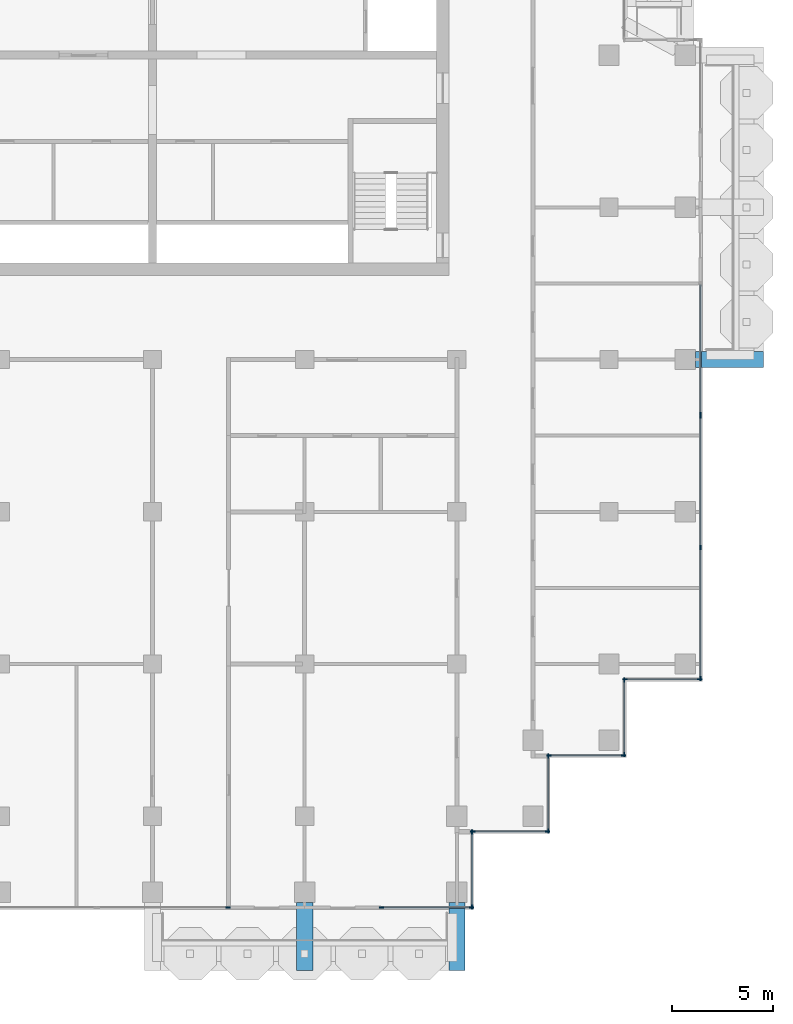
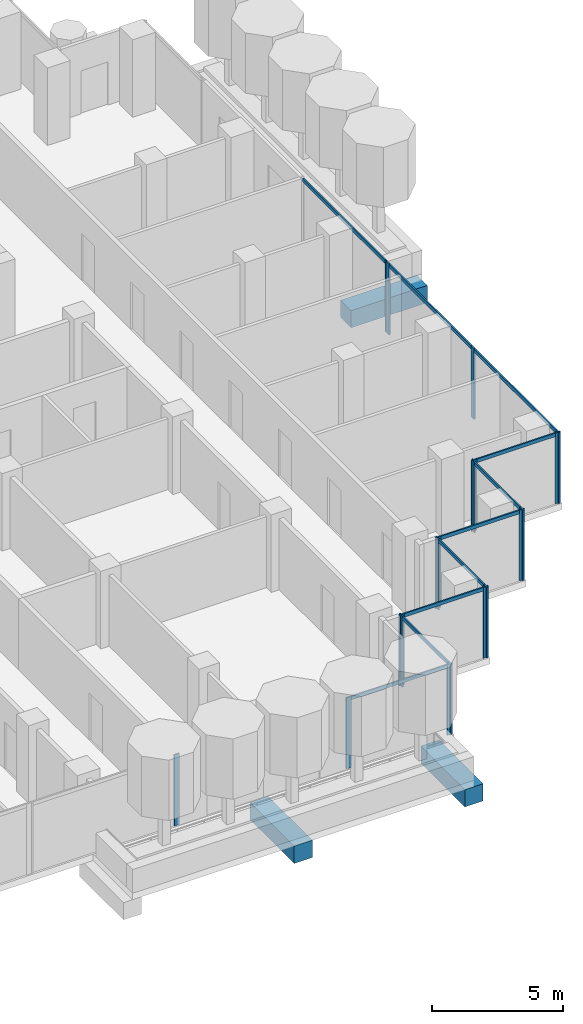
# One storey, part 4 of 19: 29 members, 3 beams, 10 elements without a shape of their own.
"""IFC4 building model written with IfcOpenShell, lengths in metres."""

from ifc_helpers import new_model, si_unit, direction, frame, origin, origin_2d, place, context, subcontext, project, spatial, rectangle, extrude, material, material_profile, profile_set, type_object, element, aggregate, save


model = new_model("IFC4")

# Units and contexts
model_context = context("Model", 3, precision=1e-05, world=origin(), true_north=direction((0.0, 1.0)))
body_context = subcontext(model_context, "Body", "Model", "MODEL_VIEW")
ifc_project = project(units=[si_unit("LENGTHUNIT", "METRE"), si_unit("AREAUNIT", "SQUARE_METRE"), si_unit("VOLUMEUNIT", "CUBIC_METRE"), si_unit("PLANEANGLEUNIT", "RADIAN"), si_unit("MASSUNIT", "GRAM", prefix="KILO")], contexts=[model_context])

# Site, building, storey
site_placement = place(None, origin())
site = spatial("IfcSite", under=ifc_project, at=site_placement, CompositionType="ELEMENT")
building_placement = place(site_placement, origin())
building = spatial("IfcBuilding", under=site, at=building_placement, Name="Pilkhan Gate Tower", CompositionType="ELEMENT")
storey_placement = place(building_placement, frame((0.0, 0.0, 217.5)))
storey = spatial("IfcBuildingStorey", under=building, at=storey_placement, Name="L56", CompositionType="ELEMENT", Elevation=217.5)

# Beams
ifc_material_1 = material(Name="Concrete C50/60", Category="concrete")
ifc_material_profile_1 = material_profile(ifc_material_1, rectangle(XDim=0.800048828125, YDim=0.800048828125, at=origin_2d()), Name="RC 800x800")
ifc_profile_set_1 = profile_set([ifc_material_profile_1], Name="Concrete C50/60")
beam_type = type_object("IfcBeamType", Name="Cantilever beam CB2 RC 800x800 C50/60", PredefinedType="BEAM", material=ifc_profile_set_1)
for number, where, z_axis, x_axis, name in (
    (1, (82.5, 40.75, -0.699951171875), (0.0, -1.0, 0.0), (1.0, 0.0, 0.0), "Balcony beam S.2 L56"),
    (2, (90.0, 40.75, -0.699951171875), (0.0, -1.0, 0.0), (1.0, 0.0, 0.0), "Balcony beam S.3 L56"),
    (3, (101.75, 67.5, -0.699951171875), (1.0, 0.0, 0.0), (0.0, 1.0, 0.0), "Balcony beam E.1 L56"),
):
    element("IfcBeam", number, at=place(storey_placement, frame(where, z_axis=z_axis, x_axis=x_axis)), inside=storey, type_object=beam_type, Name=name, PredefinedType="BEAM", context=body_context, shape_type="SweptSolid", body=[
        extrude(rectangle(XDim=0.800048828125, YDim=0.800048828125, at=origin_2d()), origin(), (0.0, 0.0, 1.0), 3.35009765625),
    ])

# Curtain wall, members
ifc_material_2 = material(Name="Pale anodised aluminium, clear low-iron double glazing", Category="aluminium")
curtain_wall_type = type_object("IfcCurtainWallType", Name="Office unitised curtain wall CW-O2", PredefinedType="USERDEFINED", material=ifc_material_2)
curtain_wall_1_placement = place(storey_placement, origin())
curtain_wall_1 = element("IfcCurtainWall", 4, at=curtain_wall_1_placement, inside=storey, type_object=curtain_wall_type, Name="Office unitised curtain wall CW-O2 L56 E", ObjectType="UNITISED CURTAIN WALL", PredefinedType="USERDEFINED")
ifc_material_3 = material(Name="Pale anodised aluminium", Category="aluminium")
ifc_material_profile_2 = material_profile(ifc_material_3, rectangle(XDim=0.06494140625, YDim=0.22509765625, at=origin_2d()), Name="Mullion 225x65")
ifc_profile_set_2 = profile_set([ifc_material_profile_2], Name="Pale anodised aluminium")
member_type_1 = type_object("IfcMemberType", Name="Mullion CW-O2 225x65", PredefinedType="MULLION", material=ifc_profile_set_2)
member_1_placement = place(storey_placement, frame((102.0, 51.782470703125, 0.0), z_axis=(0.0, 0.0, 1.0), x_axis=(-1.0, 0.0, 0.0)))
member_1 = element("IfcMember", 5, at=member_1_placement, type_object=member_type_1, Name="CW-O2 mullion 1", PredefinedType="MULLION", context=body_context, shape_type="SweptSolid", body=[
    extrude(rectangle(XDim=0.06494140625, YDim=0.22509765625, at=origin_2d()), origin(), (0.0, 0.0, 1.0), 3.300048828125),
])
member_2_placement = place(storey_placement, frame((102.0, 58.25, 0.0), z_axis=(0.0, 0.0, 1.0), x_axis=(-1.0, 0.0, 0.0)))
member_2 = element("IfcMember", 6, at=member_2_placement, type_object=member_type_1, Name="CW-O2 mullion 2", PredefinedType="MULLION", context=body_context, shape_type="SweptSolid", body=[
    extrude(rectangle(XDim=0.06494140625, YDim=0.22509765625, at=origin_2d()), origin(), (0.0, 0.0, 1.0), 3.300048828125),
])
member_3_placement = place(storey_placement, frame((102.0, 64.717529296875, 0.0), z_axis=(0.0, 0.0, 1.0), x_axis=(-1.0, 0.0, 0.0)))
member_3 = element("IfcMember", 7, at=member_3_placement, type_object=member_type_1, Name="CW-O2 mullion 3", PredefinedType="MULLION", context=body_context, shape_type="SweptSolid", body=[
    extrude(rectangle(XDim=0.06494140625, YDim=0.22509765625, at=origin_2d()), origin(), (0.0, 0.0, 1.0), 3.300048828125),
])

# Curtain wall, member
curtain_wall_2_placement = place(storey_placement, origin())
curtain_wall_2 = element("IfcCurtainWall", 8, at=curtain_wall_2_placement, inside=storey, type_object=curtain_wall_type, Name="Office unitised curtain wall CW-O2 L56 E", ObjectType="UNITISED CURTAIN WALL", PredefinedType="USERDEFINED")
member_4_placement = place(storey_placement, frame((102.0, 64.782470703125, 0.0), z_axis=(0.0, 0.0, 1.0), x_axis=(-1.0, 0.0, 0.0)))
member_4 = element("IfcMember", 9, at=member_4_placement, type_object=member_type_1, Name="CW-O2 mullion 1", PredefinedType="MULLION", context=body_context, shape_type="SweptSolid", body=[
    extrude(rectangle(XDim=0.06494140625, YDim=0.22509765625, at=origin_2d()), origin(), (0.0, 0.0, 1.0), 3.300048828125),
])

curtain_wall_3_placement = place(storey_placement, origin())
curtain_wall_3 = element("IfcCurtainWall", 10, at=curtain_wall_3_placement, inside=storey, type_object=curtain_wall_type, Name="Office unitised curtain wall CW-O2 L56 S", ObjectType="UNITISED CURTAIN WALL", PredefinedType="USERDEFINED")
member_5_placement = place(storey_placement, frame((78.717529296875, 40.5, 0.0), z_axis=(0.0, 0.0, 1.0), x_axis=(0.0, 1.0, 0.0)))
member_5 = element("IfcMember", 11, at=member_5_placement, type_object=member_type_1, Name="CW-O2 mullion 2", PredefinedType="MULLION", context=body_context, shape_type="SweptSolid", body=[
    extrude(rectangle(XDim=0.06494140625, YDim=0.22509765625, at=origin_2d()), origin(), (0.0, 0.0, 1.0), 3.300048828125),
])
aggregate(curtain_wall_3, [member_5])

# Curtain wall, members
curtain_wall_4_placement = place(storey_placement, origin())
curtain_wall_4 = element("IfcCurtainWall", 12, at=curtain_wall_4_placement, inside=storey, type_object=curtain_wall_type, Name="Office unitised curtain wall CW-O2 L56 S", ObjectType="UNITISED CURTAIN WALL", PredefinedType="USERDEFINED")
member_6_placement = place(storey_placement, frame((86.282470703125, 40.5, 0.0), z_axis=(0.0, 0.0, 1.0), x_axis=(0.0, 1.0, 0.0)))
member_6 = element("IfcMember", 13, at=member_6_placement, type_object=member_type_1, Name="CW-O2 mullion 1", PredefinedType="MULLION", context=body_context, shape_type="SweptSolid", body=[
    extrude(rectangle(XDim=0.06494140625, YDim=0.22509765625, at=origin_2d()), origin(), (0.0, 0.0, 1.0), 3.300048828125),
])
member_7_placement = place(storey_placement, frame((90.717529296875, 40.5, 0.0), z_axis=(0.0, 0.0, 1.0), x_axis=(0.0, 1.0, 0.0)))
member_7 = element("IfcMember", 14, at=member_7_placement, type_object=member_type_1, Name="CW-O2 mullion 2", PredefinedType="MULLION", context=body_context, shape_type="SweptSolid", body=[
    extrude(rectangle(XDim=0.06494140625, YDim=0.22509765625, at=origin_2d()), origin(), (0.0, 0.0, 1.0), 3.300048828125),
])

curtain_wall_5_placement = place(storey_placement, origin())
curtain_wall_5 = element("IfcCurtainWall", 15, at=curtain_wall_5_placement, inside=storey, type_object=curtain_wall_type, Name="Office unitised curtain wall CW-O2 L56 E", ObjectType="UNITISED CURTAIN WALL", PredefinedType="USERDEFINED")
member_8_placement = place(storey_placement, frame((90.75, 40.532470703125, 0.0), z_axis=(0.0, 0.0, 1.0), x_axis=(-1.0, 0.0, 0.0)))
member_8 = element("IfcMember", 16, at=member_8_placement, type_object=member_type_1, Name="CW-O2 mullion 1", PredefinedType="MULLION", context=body_context, shape_type="SweptSolid", body=[
    extrude(rectangle(XDim=0.06494140625, YDim=0.22509765625, at=origin_2d()), origin(), (0.0, 0.0, 1.0), 3.300048828125),
])
member_9_placement = place(storey_placement, frame((90.75, 44.217529296875, 0.0), z_axis=(0.0, 0.0, 1.0), x_axis=(-1.0, 0.0, 0.0)))
member_9 = element("IfcMember", 17, at=member_9_placement, type_object=member_type_1, Name="CW-O2 mullion 2", PredefinedType="MULLION", context=body_context, shape_type="SweptSolid", body=[
    extrude(rectangle(XDim=0.06494140625, YDim=0.22509765625, at=origin_2d()), origin(), (0.0, 0.0, 1.0), 3.300048828125),
])

curtain_wall_6_placement = place(storey_placement, origin())
curtain_wall_6 = element("IfcCurtainWall", 18, at=curtain_wall_6_placement, inside=storey, type_object=curtain_wall_type, Name="Office unitised curtain wall CW-O2 L56 S", ObjectType="UNITISED CURTAIN WALL", PredefinedType="USERDEFINED")
member_10_placement = place(storey_placement, frame((90.782470703125, 44.25, 0.0), z_axis=(0.0, 0.0, 1.0), x_axis=(0.0, 1.0, 0.0)))
member_10 = element("IfcMember", 19, at=member_10_placement, type_object=member_type_1, Name="CW-O2 mullion 1", PredefinedType="MULLION", context=body_context, shape_type="SweptSolid", body=[
    extrude(rectangle(XDim=0.06494140625, YDim=0.22509765625, at=origin_2d()), origin(), (0.0, 0.0, 1.0), 3.300048828125),
])
member_11_placement = place(storey_placement, frame((94.467529296875, 44.25, 0.0), z_axis=(0.0, 0.0, 1.0), x_axis=(0.0, 1.0, 0.0)))
member_11 = element("IfcMember", 20, at=member_11_placement, type_object=member_type_1, Name="CW-O2 mullion 2", PredefinedType="MULLION", context=body_context, shape_type="SweptSolid", body=[
    extrude(rectangle(XDim=0.06494140625, YDim=0.22509765625, at=origin_2d()), origin(), (0.0, 0.0, 1.0), 3.300048828125),
])

curtain_wall_7_placement = place(storey_placement, origin())
curtain_wall_7 = element("IfcCurtainWall", 21, at=curtain_wall_7_placement, inside=storey, type_object=curtain_wall_type, Name="Office unitised curtain wall CW-O2 L56 E", ObjectType="UNITISED CURTAIN WALL", PredefinedType="USERDEFINED")
member_12_placement = place(storey_placement, frame((94.5, 44.282470703125, 0.0), z_axis=(0.0, 0.0, 1.0), x_axis=(-1.0, 0.0, 0.0)))
member_12 = element("IfcMember", 22, at=member_12_placement, type_object=member_type_1, Name="CW-O2 mullion 1", PredefinedType="MULLION", context=body_context, shape_type="SweptSolid", body=[
    extrude(rectangle(XDim=0.06494140625, YDim=0.22509765625, at=origin_2d()), origin(), (0.0, 0.0, 1.0), 3.300048828125),
])
member_13_placement = place(storey_placement, frame((94.5, 47.967529296875, 0.0), z_axis=(0.0, 0.0, 1.0), x_axis=(-1.0, 0.0, 0.0)))
member_13 = element("IfcMember", 23, at=member_13_placement, type_object=member_type_1, Name="CW-O2 mullion 2", PredefinedType="MULLION", context=body_context, shape_type="SweptSolid", body=[
    extrude(rectangle(XDim=0.06494140625, YDim=0.22509765625, at=origin_2d()), origin(), (0.0, 0.0, 1.0), 3.300048828125),
])

curtain_wall_8_placement = place(storey_placement, origin())
curtain_wall_8 = element("IfcCurtainWall", 24, at=curtain_wall_8_placement, inside=storey, type_object=curtain_wall_type, Name="Office unitised curtain wall CW-O2 L56 S", ObjectType="UNITISED CURTAIN WALL", PredefinedType="USERDEFINED")
member_14_placement = place(storey_placement, frame((94.532470703125, 48.0, 0.0), z_axis=(0.0, 0.0, 1.0), x_axis=(0.0, 1.0, 0.0)))
member_14 = element("IfcMember", 25, at=member_14_placement, type_object=member_type_1, Name="CW-O2 mullion 1", PredefinedType="MULLION", context=body_context, shape_type="SweptSolid", body=[
    extrude(rectangle(XDim=0.06494140625, YDim=0.22509765625, at=origin_2d()), origin(), (0.0, 0.0, 1.0), 3.300048828125),
])
member_15_placement = place(storey_placement, frame((98.217529296875, 48.0, 0.0), z_axis=(0.0, 0.0, 1.0), x_axis=(0.0, 1.0, 0.0)))
member_15 = element("IfcMember", 26, at=member_15_placement, type_object=member_type_1, Name="CW-O2 mullion 2", PredefinedType="MULLION", context=body_context, shape_type="SweptSolid", body=[
    extrude(rectangle(XDim=0.06494140625, YDim=0.22509765625, at=origin_2d()), origin(), (0.0, 0.0, 1.0), 3.300048828125),
])

curtain_wall_9_placement = place(storey_placement, origin())
curtain_wall_9 = element("IfcCurtainWall", 27, at=curtain_wall_9_placement, inside=storey, type_object=curtain_wall_type, Name="Office unitised curtain wall CW-O2 L56 E", ObjectType="UNITISED CURTAIN WALL", PredefinedType="USERDEFINED")
member_16_placement = place(storey_placement, frame((98.25, 48.032470703125, 0.0), z_axis=(0.0, 0.0, 1.0), x_axis=(-1.0, 0.0, 0.0)))
member_16 = element("IfcMember", 28, at=member_16_placement, type_object=member_type_1, Name="CW-O2 mullion 1", PredefinedType="MULLION", context=body_context, shape_type="SweptSolid", body=[
    extrude(rectangle(XDim=0.06494140625, YDim=0.22509765625, at=origin_2d()), origin(), (0.0, 0.0, 1.0), 3.300048828125),
])
member_17_placement = place(storey_placement, frame((98.25, 51.717529296875, 0.0), z_axis=(0.0, 0.0, 1.0), x_axis=(-1.0, 0.0, 0.0)))
member_17 = element("IfcMember", 29, at=member_17_placement, type_object=member_type_1, Name="CW-O2 mullion 2", PredefinedType="MULLION", context=body_context, shape_type="SweptSolid", body=[
    extrude(rectangle(XDim=0.06494140625, YDim=0.22509765625, at=origin_2d()), origin(), (0.0, 0.0, 1.0), 3.300048828125),
])

curtain_wall_10_placement = place(storey_placement, origin())
curtain_wall_10 = element("IfcCurtainWall", 30, at=curtain_wall_10_placement, inside=storey, type_object=curtain_wall_type, Name="Office unitised curtain wall CW-O2 L56 S", ObjectType="UNITISED CURTAIN WALL", PredefinedType="USERDEFINED")
member_18_placement = place(storey_placement, frame((98.282470703125, 51.75, 0.0), z_axis=(0.0, 0.0, 1.0), x_axis=(0.0, 1.0, 0.0)))
member_18 = element("IfcMember", 31, at=member_18_placement, type_object=member_type_1, Name="CW-O2 mullion 1", PredefinedType="MULLION", context=body_context, shape_type="SweptSolid", body=[
    extrude(rectangle(XDim=0.06494140625, YDim=0.22509765625, at=origin_2d()), origin(), (0.0, 0.0, 1.0), 3.300048828125),
])
member_19_placement = place(storey_placement, frame((101.967529296875, 51.75, 0.0), z_axis=(0.0, 0.0, 1.0), x_axis=(0.0, 1.0, 0.0)))
member_19 = element("IfcMember", 32, at=member_19_placement, type_object=member_type_1, Name="CW-O2 mullion 2", PredefinedType="MULLION", context=body_context, shape_type="SweptSolid", body=[
    extrude(rectangle(XDim=0.06494140625, YDim=0.22509765625, at=origin_2d()), origin(), (0.0, 0.0, 1.0), 3.300048828125),
])

# Member
ifc_material_profile_3 = material_profile(ifc_material_3, rectangle(XDim=0.06494140625, YDim=0.1650390625, at=origin_2d()), Name="Transom 165x65")
ifc_profile_set_3 = profile_set([ifc_material_profile_3], Name="Pale anodised aluminium")
member_type_2 = type_object("IfcMemberType", Name="Transom CW-O2 165x65", PredefinedType="USERDEFINED", material=ifc_profile_set_3)
member_20_placement = place(storey_placement, frame((102.0, 51.81494140625, 3.217529296875), z_axis=(0.0, 1.0, 0.0), x_axis=(-1.0, 0.0, 0.0)))
member_20 = element("IfcMember", 33, at=member_20_placement, type_object=member_type_2, Name="CW-O2 transom 1", ObjectType="TRANSOM", PredefinedType="USERDEFINED", context=body_context, shape_type="SweptSolid", body=[
    extrude(rectangle(XDim=0.06494140625, YDim=0.1650390625, at=origin_2d()), origin(), (0.0, 0.0, 1.0), 6.402587890625),
])

member_21_placement = place(storey_placement, frame((102.0, 58.282470703125, 3.217529296875), z_axis=(0.0, 1.0, 0.0), x_axis=(-1.0, 0.0, 0.0)))
member_21 = element("IfcMember", 34, at=member_21_placement, type_object=member_type_2, Name="CW-O2 transom 2", ObjectType="TRANSOM", PredefinedType="USERDEFINED", context=body_context, shape_type="SweptSolid", body=[
    extrude(rectangle(XDim=0.06494140625, YDim=0.1650390625, at=origin_2d()), origin(), (0.0, 0.0, 1.0), 6.402587890625),
])

aggregate(curtain_wall_1, [member_1, member_2, member_3, member_20, member_21])

member_22_placement = place(storey_placement, frame((102.0, 64.81494140625, 3.217529296875), z_axis=(0.0, 1.0, 0.0), x_axis=(-1.0, 0.0, 0.0)))
member_22 = element("IfcMember", 35, at=member_22_placement, type_object=member_type_2, Name="CW-O2 transom 1", ObjectType="TRANSOM", PredefinedType="USERDEFINED", context=body_context, shape_type="SweptSolid", body=[
    extrude(rectangle(XDim=0.06494140625, YDim=0.1650390625, at=origin_2d()), origin(), (0.0, 0.0, 1.0), 6.3701171875),
])

aggregate(curtain_wall_2, [member_4, member_22])

member_23_placement = place(storey_placement, frame((86.31494140625, 40.5, 3.217529296875), z_axis=(1.0, 0.0, 0.0), x_axis=(0.0, 1.0, 0.0)))
member_23 = element("IfcMember", 36, at=member_23_placement, type_object=member_type_2, Name="CW-O2 transom 1", ObjectType="TRANSOM", PredefinedType="USERDEFINED", context=body_context, shape_type="SweptSolid", body=[
    extrude(rectangle(XDim=0.06494140625, YDim=0.1650390625, at=origin_2d()), origin(), (0.0, 0.0, 1.0), 4.3701171875),
])

aggregate(curtain_wall_4, [member_6, member_7, member_23])

member_24_placement = place(storey_placement, frame((90.75, 40.56494140625, 3.217529296875), z_axis=(0.0, 1.0, 0.0), x_axis=(-1.0, 0.0, 0.0)))
member_24 = element("IfcMember", 37, at=member_24_placement, type_object=member_type_2, Name="CW-O2 transom 1", ObjectType="TRANSOM", PredefinedType="USERDEFINED", context=body_context, shape_type="SweptSolid", body=[
    extrude(rectangle(XDim=0.06494140625, YDim=0.1650390625, at=origin_2d()), origin(), (0.0, 0.0, 1.0), 3.6201171875),
])

aggregate(curtain_wall_5, [member_8, member_9, member_24])

member_25_placement = place(storey_placement, frame((90.81494140625, 44.25, 3.217529296875), z_axis=(1.0, 0.0, 0.0), x_axis=(0.0, 1.0, 0.0)))
member_25 = element("IfcMember", 38, at=member_25_placement, type_object=member_type_2, Name="CW-O2 transom 1", ObjectType="TRANSOM", PredefinedType="USERDEFINED", context=body_context, shape_type="SweptSolid", body=[
    extrude(rectangle(XDim=0.06494140625, YDim=0.1650390625, at=origin_2d()), origin(), (0.0, 0.0, 1.0), 3.6201171875),
])

aggregate(curtain_wall_6, [member_10, member_11, member_25])

member_26_placement = place(storey_placement, frame((94.5, 44.31494140625, 3.217529296875), z_axis=(0.0, 1.0, 0.0), x_axis=(-1.0, 0.0, 0.0)))
member_26 = element("IfcMember", 39, at=member_26_placement, type_object=member_type_2, Name="CW-O2 transom 1", ObjectType="TRANSOM", PredefinedType="USERDEFINED", context=body_context, shape_type="SweptSolid", body=[
    extrude(rectangle(XDim=0.06494140625, YDim=0.1650390625, at=origin_2d()), origin(), (0.0, 0.0, 1.0), 3.6201171875),
])

aggregate(curtain_wall_7, [member_12, member_13, member_26])

member_27_placement = place(storey_placement, frame((94.56494140625, 48.0, 3.217529296875), z_axis=(1.0, 0.0, 0.0), x_axis=(0.0, 1.0, 0.0)))
member_27 = element("IfcMember", 40, at=member_27_placement, type_object=member_type_2, Name="CW-O2 transom 1", ObjectType="TRANSOM", PredefinedType="USERDEFINED", context=body_context, shape_type="SweptSolid", body=[
    extrude(rectangle(XDim=0.06494140625, YDim=0.1650390625, at=origin_2d()), origin(), (0.0, 0.0, 1.0), 3.6201171875),
])

aggregate(curtain_wall_8, [member_14, member_15, member_27])

member_28_placement = place(storey_placement, frame((98.25, 48.06494140625, 3.217529296875), z_axis=(0.0, 1.0, 0.0), x_axis=(-1.0, 0.0, 0.0)))
member_28 = element("IfcMember", 41, at=member_28_placement, type_object=member_type_2, Name="CW-O2 transom 1", ObjectType="TRANSOM", PredefinedType="USERDEFINED", context=body_context, shape_type="SweptSolid", body=[
    extrude(rectangle(XDim=0.06494140625, YDim=0.1650390625, at=origin_2d()), origin(), (0.0, 0.0, 1.0), 3.6201171875),
])

aggregate(curtain_wall_9, [member_16, member_17, member_28])

member_29_placement = place(storey_placement, frame((98.31494140625, 51.75, 3.217529296875), z_axis=(1.0, 0.0, 0.0), x_axis=(0.0, 1.0, 0.0)))
member_29 = element("IfcMember", 42, at=member_29_placement, type_object=member_type_2, Name="CW-O2 transom 1", ObjectType="TRANSOM", PredefinedType="USERDEFINED", context=body_context, shape_type="SweptSolid", body=[
    extrude(rectangle(XDim=0.06494140625, YDim=0.1650390625, at=origin_2d()), origin(), (0.0, 0.0, 1.0), 3.6201171875),
])

aggregate(curtain_wall_10, [member_18, member_19, member_29])

save(model, "model.ifc")
